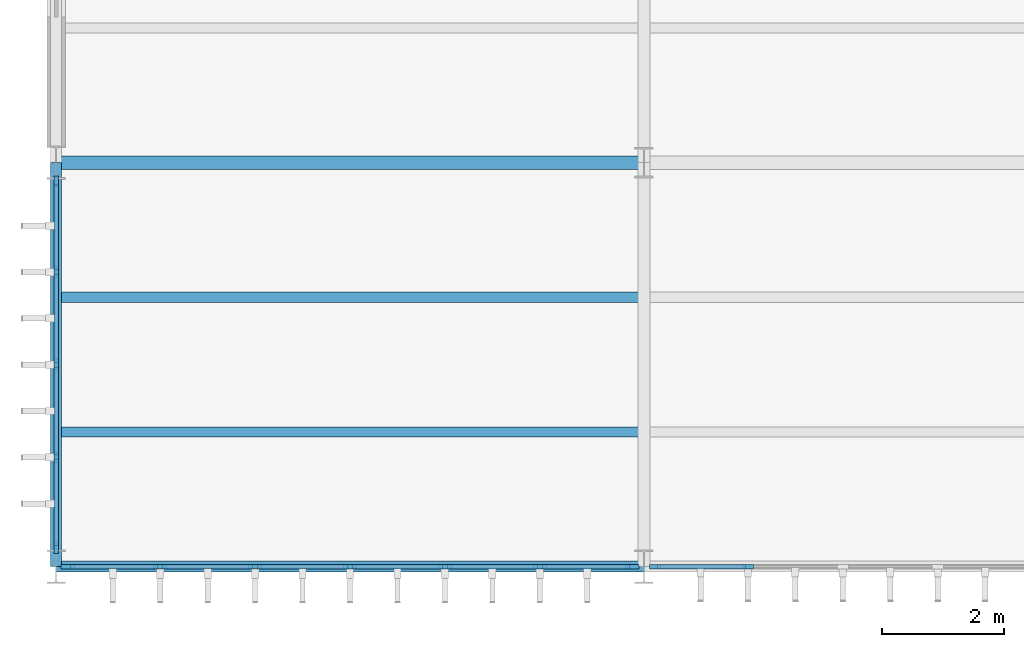
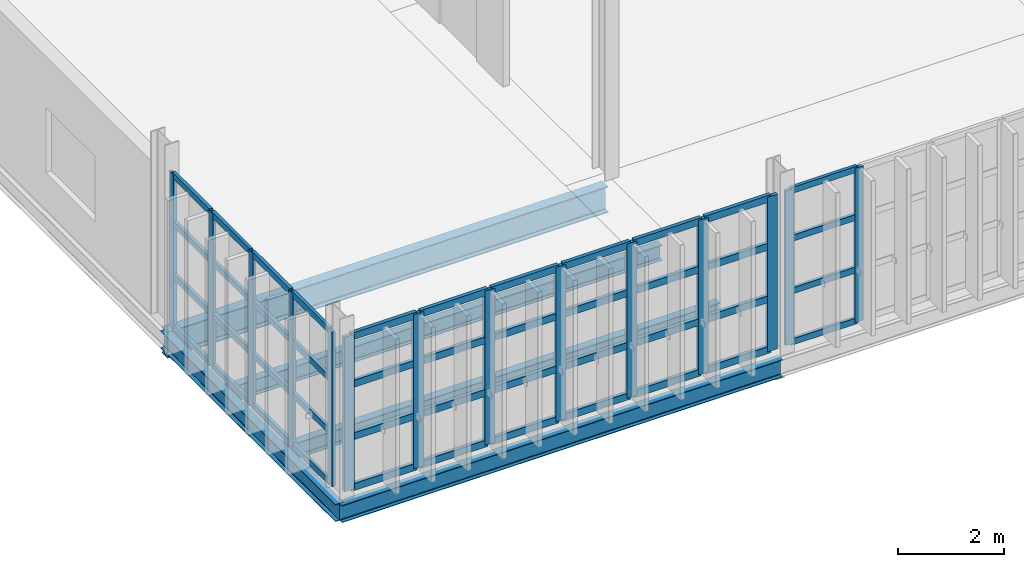
# One storey, part 4 of 52: 58 members, 5 beams, 3 elements without a shape of their own.
"""IFC4 building model written with IfcOpenShell, lengths in metres."""

import ifcopenshell
import ifcopenshell.guid

model = None  # the IFC model being written
_history = None  # IfcOwnerHistory: only IFC2X3 demands one
_inside = {}  # id of a spatial element -> (the spatial element, [elements in it])
_under = {}  # id of a project, library or spatial element -> (it, [spatial elements below it])
_declared = {}  # id of a project -> (the project, [libraries it declares])
_typed = {}  # id of a type object -> (the type object, [elements of that type])
_made_of = {}  # id of a material, layer set ... -> (it, [elements and type objects made of it])


def new_model(schema):
    """Start an empty IFC model of exactly this schema.

    Asked for "IFC4X3", IfcOpenShell would pick the latest addendum, in which some entities
    have other attributes; the version numbers below select the first issue.
    IFC2X3 requires an IfcOwnerHistory on every rooted entity: one is made here for all.
    """
    global model, _history
    if schema == "IFC4X3":
        model = ifcopenshell.file(schema_version=(4, 3, 0, 0))
    else:
        model = ifcopenshell.file(schema=schema)
    _inside.clear()
    _under.clear()
    _declared.clear()
    _typed.clear()
    _made_of.clear()
    _history = None
    if model.schema == "IFC2X3":
        org = make("IfcOrganization", Name="unknown")
        user = make(
            "IfcPersonAndOrganization",
            ThePerson=make("IfcPerson", FamilyName="unknown"),
            TheOrganization=org,
        )
        app = make(
            "IfcApplication",
            ApplicationDeveloper=org,
            Version="unknown",
            ApplicationFullName="unknown",
            ApplicationIdentifier="unknown",
        )
        _history = make(
            "IfcOwnerHistory",
            OwningUser=user,
            OwningApplication=app,
            ChangeAction="ADDED",
            CreationDate=0,
        )
    return model


def make(cls, **values):
    """One entity of the class cls with the attributes given. An attribute that is None is left unset."""
    return model.create_entity(
        cls, **{name: value for name, value in values.items() if value is not None}
    )


def rooted(cls, **values):
    """An entity with a GlobalId (a new one), such as an element, a storey or a relation."""
    return make(cls, GlobalId=ifcopenshell.guid.new(), OwnerHistory=_history, **values)


def si_unit(unit_type, name, prefix=None):
    """IfcSIUnit, for example si_unit("LENGTHUNIT", "METRE", prefix="MILLI")."""
    return make("IfcSIUnit", UnitType=unit_type, Prefix=prefix, Name=name)


def assignment(units):
    """IfcUnitAssignment: the units of a project."""
    return None if units is None else make("IfcUnitAssignment", Units=units)


def point(xyz):
    """IfcCartesianPoint."""
    return None if xyz is None else make("IfcCartesianPoint", Coordinates=xyz)


def direction(xyz):
    """IfcDirection."""
    return None if xyz is None else make("IfcDirection", DirectionRatios=xyz)


def frame(location, z_axis=None, x_axis=None):
    """IfcAxis2Placement3D, a coordinate frame: its origin and axes. An axis left out is left unset."""
    return make(
        "IfcAxis2Placement3D",
        Location=point(location),
        Axis=direction(z_axis),
        RefDirection=direction(x_axis),
    )


def frame_2d(location, x_axis=None):
    """IfcAxis2Placement2D, a coordinate frame in the plane: its origin and x axis."""
    return make(
        "IfcAxis2Placement2D", Location=point(location), RefDirection=direction(x_axis)
    )


def origin():
    """The frame at (0, 0, 0) with its axes left unset."""
    return frame((0.0, 0.0, 0.0))


def origin_2d():
    """The frame at (0, 0) in the plane with its x axis left unset."""
    return frame_2d((0.0, 0.0))


def place(relative_to, where):
    """IfcLocalPlacement: puts the frame where relative to a parent placement (None: the world)."""
    return make(
        "IfcLocalPlacement", PlacementRelTo=relative_to, RelativePlacement=where
    )


def context(
    kind, dimensions, precision=None, world=None, true_north=None, identifier=None
):
    """IfcGeometricRepresentationContext, for example the 3D "Model" context."""
    return make(
        "IfcGeometricRepresentationContext",
        ContextIdentifier=identifier,
        ContextType=kind,
        CoordinateSpaceDimension=dimensions,
        Precision=precision,
        WorldCoordinateSystem=world,
        TrueNorth=true_north,
    )


def subcontext(parent, identifier, kind, view, scale=None):
    """IfcGeometricRepresentationSubContext, for example "Body" below "Model"."""
    return make(
        "IfcGeometricRepresentationSubContext",
        ContextIdentifier=identifier,
        ContextType=kind,
        ParentContext=parent,
        TargetScale=scale,
        TargetView=view,
    )


def project(units=None, contexts=None):
    """IfcProject with its units and contexts."""
    return rooted(
        "IfcProject",
        Name="project",
        RepresentationContexts=contexts,
        UnitsInContext=assignment(units),
    )


def spatial(cls, under=None, at=None, **own):
    """A site, building, storey or space (cls), placed at a placement, below another one or the project."""
    s = rooted(cls, ObjectPlacement=at, **own)
    if under is not None:
        _under.setdefault(under.id(), (under, []))[1].append(s)
    return s


def profile(cls, at=None, kind="AREA", **sizes):
    """A parametric profile (cls). Its sizes go by their IFC names, for example OverallWidth=200.0."""
    return make(cls, ProfileType=kind, Position=at, **sizes)


def rectangle(**sizes):
    """IfcRectangleProfileDef."""
    return profile("IfcRectangleProfileDef", **sizes)


def i_section(**sizes):
    """IfcIShapeProfileDef."""
    return profile("IfcIShapeProfileDef", **sizes)


def extrude(swept, where, along, depth):
    """IfcExtrudedAreaSolid: the profile swept, set in the frame where, extruded along a direction by depth."""
    return make(
        "IfcExtrudedAreaSolid",
        SweptArea=swept,
        Position=where,
        ExtrudedDirection=direction(along),
        Depth=depth,
    )


def shape(context_of_items, identifier, shape_type, items):
    """IfcShapeRepresentation: the items that make up one representation, for example the "Body"."""
    return make(
        "IfcShapeRepresentation",
        ContextOfItems=context_of_items,
        RepresentationIdentifier=identifier,
        RepresentationType=shape_type,
        Items=items,
    )


def material(Name=None, Category=None):
    """IfcMaterial."""
    return make("IfcMaterial", Name=Name, Category=Category)


def layer(
    of_material, thickness, ventilated=None, Name=None, Category=None, Priority=None
):
    """IfcMaterialLayer: one layer of a wall or slab, of a material (None: an air gap)."""
    return make(
        "IfcMaterialLayer",
        Material=of_material,
        LayerThickness=thickness,
        IsVentilated=ventilated,
        Name=Name,
        Category=Category,
        Priority=Priority,
    )


def layer_set(layers, Name=None):
    """IfcMaterialLayerSet."""
    return make("IfcMaterialLayerSet", MaterialLayers=layers, LayerSetName=Name)


def material_profile(
    of_material, cross_section, Name=None, Category=None, Priority=None
):
    """IfcMaterialProfile: a cross section and its material."""
    return make(
        "IfcMaterialProfile",
        Name=Name,
        Material=of_material,
        Profile=cross_section,
        Priority=Priority,
        Category=Category,
    )


def profile_set(profiles, Name=None, composite=None):
    """IfcMaterialProfileSet."""
    return make(
        "IfcMaterialProfileSet",
        Name=Name,
        MaterialProfiles=profiles,
        CompositeProfile=composite,
    )


def made_of(thing, what):
    """Note that an element or type object is made of a material, layer set ...; save() writes the relation."""
    if what is not None:
        _made_of.setdefault(what.id(), (what, []))[1].append(thing)
    return thing


def type_object(cls, material=None, **own):
    """A type object (cls), such as IfcWallType, which elements share."""
    return made_of(rooted(cls, **own), material)


def element(
    cls,
    number,
    at=None,
    inside=None,
    cuts=None,
    type_object=None,
    material=None,
    context=None,
    identifier="Body",
    shape_type=None,
    held_by="IfcProductDefinitionShape",
    body=None,
    shapes=None,
    **own,
):
    """One element of the class cls, such as IfcWall. Its Tag is "e" and its number.

    at: its placement. inside: the storey or other place that contains it. cuts: it is an
    opening in that element (IfcRelVoidsElement). A single representation is given by context,
    identifier, shape_type and body (its items); several are given by shapes. held_by: the class
    of the entity that holds the representations. save() writes the other relations.
    """
    e = rooted(cls, Tag="e%d" % number, ObjectPlacement=at, **own)
    if body is not None:
        shapes = [shape(context, identifier, shape_type, body)]
    if shapes is not None:
        e.Representation = make(held_by, Representations=shapes)
    if inside is not None:
        _inside.setdefault(inside.id(), (inside, []))[1].append(e)
    if cuts is not None:
        rooted(
            "IfcRelVoidsElement", RelatingBuildingElement=cuts, RelatedOpeningElement=e
        )
    if type_object is not None:
        _typed.setdefault(type_object.id(), (type_object, []))[1].append(e)
    return made_of(e, material)


def aggregate(whole, parts):
    """IfcRelAggregates: a whole, such as a stair, and the parts it consists of."""
    return rooted("IfcRelAggregates", RelatingObject=whole, RelatedObjects=parts)


def save(model, path):
    """Write the relations noted so far, then the file.

    IfcRelAggregates (storeys below a building ...), IfcRelContainedInSpatialStructure (elements
    in a storey), IfcRelDefinesByType, IfcRelAssociatesMaterial and IfcRelDeclares: one each for
    every whole, place, type object, material and project.
    """
    for whole, parts in _under.values():
        aggregate(whole, parts)
    for where, things in _inside.values():
        rooted(
            "IfcRelContainedInSpatialStructure",
            RelatedElements=things,
            RelatingStructure=where,
        )
    for kind, things in _typed.values():
        rooted("IfcRelDefinesByType", RelatedObjects=things, RelatingType=kind)
    for what, things in _made_of.values():
        rooted("IfcRelAssociatesMaterial", RelatedObjects=things, RelatingMaterial=what)
    for by, libraries in _declared.values():
        rooted("IfcRelDeclares", RelatingContext=by, RelatedDefinitions=libraries)
    model.write(path)


model = new_model("IFC4")

# Units and contexts
model_context = context("Model", 3, precision=1e-05, world=origin(), true_north=direction((0.0, 1.0)))
body_context = subcontext(model_context, "Body", "Model", "MODEL_VIEW")
ifc_project = project(units=[si_unit("LENGTHUNIT", "METRE"), si_unit("AREAUNIT", "SQUARE_METRE"), si_unit("VOLUMEUNIT", "CUBIC_METRE"), si_unit("PLANEANGLEUNIT", "RADIAN"), si_unit("MASSUNIT", "GRAM", prefix="KILO")], contexts=[model_context])

# Site, building, storey
site_placement = place(None, origin())
site = spatial("IfcSite", under=ifc_project, at=site_placement, CompositionType="ELEMENT")
building_placement = place(site_placement, origin())
building = spatial("IfcBuilding", under=site, at=building_placement, Name="Zarnetskaya Central Station", CompositionType="ELEMENT")
storey_placement = place(building_placement, frame((0.0, 0.0, 14.39990234375)))
storey = spatial("IfcBuildingStorey", under=building, at=storey_placement, Name="L03", CompositionType="ELEMENT", Elevation=14.39990234375)

# Beams
ifc_material_1 = material(Name="Steel S355", Category="steel")
ifc_material_profile_1 = material_profile(ifc_material_1, i_section(OverallWidth=0.169921875, OverallDepth=0.360107421875, WebThickness=0.008056640625, FlangeThickness=0.0126953125, FilletRadius=0.01806640625, at=origin_2d()), Name="IPE 360")
ifc_profile_set_1 = profile_set([ifc_material_profile_1], Name="Steel S355")
beam_type_1 = type_object("IfcBeamType", Name="BM-SEC-360", PredefinedType="BEAM", material=ifc_profile_set_1)
for number, where, z_axis, x_axis, name in (
    (1, (0.080078125, 2.199951171875, -0.429931640625), (1.0, 0.0, 0.0), (0.0, 1.0, 0.0), "Secondary floor beam SEC-L03-Z1415-AB-12-1"),
    (2, (0.080078125, 4.39990234375, -0.429931640625), (1.0, 0.0, 0.0), (0.0, 1.0, 0.0), "Secondary floor beam SEC-L03-Z1415-AB-12-2"),
):
    element("IfcBeam", number, at=place(storey_placement, frame(where, z_axis=z_axis, x_axis=x_axis)), inside=storey, type_object=beam_type_1, Name=name, PredefinedType="BEAM", context=body_context, shape_type="SweptSolid", body=[
        extrude(i_section(OverallWidth=0.169921875, OverallDepth=0.360107421875, WebThickness=0.008056640625, FlangeThickness=0.0126953125, FilletRadius=0.01806640625, at=origin_2d()), origin(), (0.0, 0.0, 1.0), 9.43994140625),
    ])
ifc_material_profile_2 = material_profile(ifc_material_1, i_section(OverallWidth=0.179931640625, OverallDepth=0.39990234375, WebThickness=0.008544921875, FlangeThickness=0.013427734375, FilletRadius=0.02099609375, at=origin_2d()), Name="IPE 400")
ifc_profile_set_2 = profile_set([ifc_material_profile_2], Name="Steel S355")
beam_type_2 = type_object("IfcBeamType", Name="BM-SPN-V5", PredefinedType="SPANDREL", material=ifc_profile_set_2)
beam_1_placement = place(storey_placement, frame((0.0, 0.0, -0.449951171875), z_axis=(0.0, 1.0, 0.0), x_axis=(-1.0, 0.0, 0.0)))
element("IfcBeam", 3, at=beam_1_placement, inside=storey, type_object=beam_type_2, Name="Grid girder GY-L03-A-12", PredefinedType="SPANDREL", context=body_context, shape_type="SweptSolid", body=[
    extrude(i_section(OverallWidth=0.179931640625, OverallDepth=0.39990234375, WebThickness=0.008544921875, FlangeThickness=0.013427734375, FilletRadius=0.02099609375, at=origin_2d()), origin(), (0.0, 0.0, 1.0), 6.60009765625),
])
beam_2_placement = place(storey_placement, frame((0.0, 0.0, -0.449951171875), z_axis=(1.0, 0.0, 0.0), x_axis=(0.0, 1.0, 0.0)))
element("IfcBeam", 4, at=beam_2_placement, inside=storey, type_object=beam_type_2, Name="Grid girder GX-L03-1-AB", PredefinedType="SPANDREL", context=body_context, shape_type="SweptSolid", body=[
    extrude(i_section(OverallWidth=0.179931640625, OverallDepth=0.39990234375, WebThickness=0.008544921875, FlangeThickness=0.013427734375, FilletRadius=0.02099609375, at=origin_2d()), origin(), (0.0, 0.0, 1.0), 9.60009765625),
])

# Curtain wall, members
ifc_material_2 = material(Name="Low-E insulated glass", Category="glass")
ifc_layer_1 = layer(ifc_material_2, 0.176025390625, Name="Low-E insulated glass", Category="glass")
ifc_layer_set_1 = layer_set([ifc_layer_1], Name="Low-E insulated glass")
curtain_wall_type_1 = type_object("IfcCurtainWallType", Name="CW-SYS-05", PredefinedType="USERDEFINED", material=ifc_layer_set_1)
curtain_wall_1_placement = place(storey_placement, origin())
curtain_wall_1 = element("IfcCurtainWall", 5, at=curtain_wall_1_placement, inside=storey, type_object=curtain_wall_type_1, Name="Curtain wall CW-L03-031", ObjectType="CURTAIN WALL", PredefinedType="USERDEFINED")
ifc_material_3 = material(Name="Anodised aluminium", Category="aluminium")
ifc_material_profile_3 = material_profile(ifc_material_3, rectangle(XDim=0.070068359375, YDim=0.179931640625, at=origin_2d()), Name="ALU MULL 70x180")
ifc_profile_set_3 = profile_set([ifc_material_profile_3], Name="Anodised aluminium")
member_type_1 = type_object("IfcMemberType", Name="CW-MULL-180", PredefinedType="MULLION", material=ifc_profile_set_3)
member_1_placement = place(storey_placement, frame((0.0, 0.31005859375, 0.0), z_axis=(0.0, 0.0, 1.0), x_axis=(-1.0, 0.0, 0.0)))
member_1 = element("IfcMember", 6, at=member_1_placement, type_object=member_type_1, Name="CW-14 mullion 1", PredefinedType="MULLION", context=body_context, shape_type="SweptSolid", body=[
    extrude(rectangle(XDim=0.070068359375, YDim=0.179931640625, at=origin_2d()), origin(), (0.0, 0.0, 1.0), 3.56005859375),
])
member_2_placement = place(storey_placement, frame((0.0, 1.78759765625, 0.0), z_axis=(0.0, 0.0, 1.0), x_axis=(-1.0, 0.0, 0.0)))
member_2 = element("IfcMember", 7, at=member_2_placement, type_object=member_type_1, Name="CW-14 mullion 2", PredefinedType="MULLION", context=body_context, shape_type="SweptSolid", body=[
    extrude(rectangle(XDim=0.070068359375, YDim=0.179931640625, at=origin_2d()), origin(), (0.0, 0.0, 1.0), 3.56005859375),
])
member_3_placement = place(storey_placement, frame((0.0, 3.300048828125, 0.0), z_axis=(0.0, 0.0, 1.0), x_axis=(-1.0, 0.0, 0.0)))
member_3 = element("IfcMember", 8, at=member_3_placement, type_object=member_type_1, Name="CW-14 mullion 3", PredefinedType="MULLION", context=body_context, shape_type="SweptSolid", body=[
    extrude(rectangle(XDim=0.070068359375, YDim=0.179931640625, at=origin_2d()), origin(), (0.0, 0.0, 1.0), 3.56005859375),
])
member_4_placement = place(storey_placement, frame((0.0, 4.8125, 0.0), z_axis=(0.0, 0.0, 1.0), x_axis=(-1.0, 0.0, 0.0)))
member_4 = element("IfcMember", 9, at=member_4_placement, type_object=member_type_1, Name="CW-14 mullion 4", PredefinedType="MULLION", context=body_context, shape_type="SweptSolid", body=[
    extrude(rectangle(XDim=0.070068359375, YDim=0.179931640625, at=origin_2d()), origin(), (0.0, 0.0, 1.0), 3.56005859375),
])
member_5_placement = place(storey_placement, frame((0.0, 6.2900390625, 0.0), z_axis=(0.0, 0.0, 1.0), x_axis=(-1.0, 0.0, 0.0)))
member_5 = element("IfcMember", 10, at=member_5_placement, type_object=member_type_1, Name="CW-14 mullion 5", PredefinedType="MULLION", context=body_context, shape_type="SweptSolid", body=[
    extrude(rectangle(XDim=0.070068359375, YDim=0.179931640625, at=origin_2d()), origin(), (0.0, 0.0, 1.0), 3.56005859375),
])

ifc_layer_2 = layer(ifc_material_2, 0.16796875, Name="Low-E insulated glass", Category="glass")
ifc_layer_set_2 = layer_set([ifc_layer_2], Name="Low-E insulated glass")
curtain_wall_type_2 = type_object("IfcCurtainWallType", Name="CW-SYS-08", PredefinedType="USERDEFINED", material=ifc_layer_set_2)
curtain_wall_2_placement = place(storey_placement, origin())
curtain_wall_2 = element("IfcCurtainWall", 11, at=curtain_wall_2_placement, inside=storey, type_object=curtain_wall_type_2, Name="Curtain wall CW-L03-045", ObjectType="CURTAIN WALL", PredefinedType="USERDEFINED")
member_6_placement = place(storey_placement, frame((11.300048828125, 0.0, 0.0), z_axis=(0.0, 0.0, 1.0), x_axis=(0.0, -1.0, 0.0)))
member_6 = element("IfcMember", 12, at=member_6_placement, type_object=member_type_1, Name="CW-16 mullion 6", PredefinedType="MULLION", context=body_context, shape_type="SweptSolid", body=[
    extrude(rectangle(XDim=0.070068359375, YDim=0.179931640625, at=origin_2d()), origin(), (0.0, 0.0, 1.0), 3.56005859375),
])
member_7_placement = place(storey_placement, frame((9.784912109375, 0.0, 0.0), z_axis=(0.0, 0.0, 1.0), x_axis=(0.0, -1.0, 0.0)))
member_7 = element("IfcMember", 13, at=member_7_placement, type_object=member_type_1, Name="CW-16 mullion 7", PredefinedType="MULLION", context=body_context, shape_type="SweptSolid", body=[
    extrude(rectangle(XDim=0.070068359375, YDim=0.179931640625, at=origin_2d()), origin(), (0.0, 0.0, 1.0), 3.56005859375),
])

ifc_layer_3 = layer(ifc_material_2, 0.172119140625, Name="Low-E insulated glass", Category="glass")
ifc_layer_set_3 = layer_set([ifc_layer_3], Name="Low-E insulated glass")
curtain_wall_type_3 = type_object("IfcCurtainWallType", Name="CW-SYS-09", PredefinedType="USERDEFINED", material=ifc_layer_set_3)
curtain_wall_3_placement = place(storey_placement, origin())
curtain_wall_3 = element("IfcCurtainWall", 14, at=curtain_wall_3_placement, inside=storey, type_object=curtain_wall_type_3, Name="Curtain wall CW-L03-046", ObjectType="CURTAIN WALL", PredefinedType="USERDEFINED")
ifc_material_profile_4 = material_profile(ifc_material_3, rectangle(XDim=0.080078125, YDim=0.219970703125, at=origin_2d()), Name="ALU MULL 80x220")
ifc_profile_set_4 = profile_set([ifc_material_profile_4], Name="Anodised aluminium")
member_type_2 = type_object("IfcMemberType", Name="CW-MULL-220", PredefinedType="MULLION", material=ifc_profile_set_4)
member_8_placement = place(storey_placement, frame((9.409912109375, 0.0, 0.0), z_axis=(0.0, 0.0, 1.0), x_axis=(0.0, -1.0, 0.0)))
member_8 = element("IfcMember", 15, at=member_8_placement, type_object=member_type_2, Name="CW-07 mullion 1", PredefinedType="MULLION", context=body_context, shape_type="SweptSolid", body=[
    extrude(rectangle(XDim=0.080078125, YDim=0.219970703125, at=origin_2d()), origin(), (0.0, 0.0, 1.0), 3.56005859375),
])
member_9_placement = place(storey_placement, frame((7.89990234375, 0.0, 0.0), z_axis=(0.0, 0.0, 1.0), x_axis=(0.0, -1.0, 0.0)))
member_9 = element("IfcMember", 16, at=member_9_placement, type_object=member_type_2, Name="CW-07 mullion 2", PredefinedType="MULLION", context=body_context, shape_type="SweptSolid", body=[
    extrude(rectangle(XDim=0.080078125, YDim=0.219970703125, at=origin_2d()), origin(), (0.0, 0.0, 1.0), 3.56005859375),
])
member_10_placement = place(storey_placement, frame((6.35009765625, 0.0, 0.0), z_axis=(0.0, 0.0, 1.0), x_axis=(0.0, -1.0, 0.0)))
member_10 = element("IfcMember", 17, at=member_10_placement, type_object=member_type_2, Name="CW-07 mullion 3", PredefinedType="MULLION", context=body_context, shape_type="SweptSolid", body=[
    extrude(rectangle(XDim=0.080078125, YDim=0.219970703125, at=origin_2d()), origin(), (0.0, 0.0, 1.0), 3.56005859375),
])
member_11_placement = place(storey_placement, frame((4.800048828125, 0.0, 0.0), z_axis=(0.0, 0.0, 1.0), x_axis=(0.0, -1.0, 0.0)))
member_11 = element("IfcMember", 18, at=member_11_placement, type_object=member_type_2, Name="CW-07 mullion 4", PredefinedType="MULLION", context=body_context, shape_type="SweptSolid", body=[
    extrude(rectangle(XDim=0.080078125, YDim=0.219970703125, at=origin_2d()), origin(), (0.0, 0.0, 1.0), 3.56005859375),
])
member_12_placement = place(storey_placement, frame((3.25, 0.0, 0.0), z_axis=(0.0, 0.0, 1.0), x_axis=(0.0, -1.0, 0.0)))
member_12 = element("IfcMember", 19, at=member_12_placement, type_object=member_type_2, Name="CW-07 mullion 5", PredefinedType="MULLION", context=body_context, shape_type="SweptSolid", body=[
    extrude(rectangle(XDim=0.080078125, YDim=0.219970703125, at=origin_2d()), origin(), (0.0, 0.0, 1.0), 3.56005859375),
])
member_13_placement = place(storey_placement, frame((1.699951171875, 0.0, 0.0), z_axis=(0.0, 0.0, 1.0), x_axis=(0.0, -1.0, 0.0)))
member_13 = element("IfcMember", 20, at=member_13_placement, type_object=member_type_2, Name="CW-07 mullion 6", PredefinedType="MULLION", context=body_context, shape_type="SweptSolid", body=[
    extrude(rectangle(XDim=0.080078125, YDim=0.219970703125, at=origin_2d()), origin(), (0.0, 0.0, 1.0), 3.56005859375),
])
member_14_placement = place(storey_placement, frame((0.18994140625, 0.0, 0.0), z_axis=(0.0, 0.0, 1.0), x_axis=(0.0, -1.0, 0.0)))
member_14 = element("IfcMember", 21, at=member_14_placement, type_object=member_type_2, Name="CW-07 mullion 7", PredefinedType="MULLION", context=body_context, shape_type="SweptSolid", body=[
    extrude(rectangle(XDim=0.080078125, YDim=0.219970703125, at=origin_2d()), origin(), (0.0, 0.0, 1.0), 3.56005859375),
])

# Member
ifc_material_profile_5 = material_profile(ifc_material_3, rectangle(XDim=0.070068359375, YDim=0.139892578125, at=origin_2d()), Name="ALU TRAN 70x140")
ifc_profile_set_5 = profile_set([ifc_material_profile_5], Name="Anodised aluminium")
member_type_3 = type_object("IfcMemberType", Name="CW-TRAN-140", PredefinedType="USERDEFINED", material=ifc_profile_set_5)
member_15_placement = place(storey_placement, frame((0.0, 0.344970703125, 0.03515625), z_axis=(0.0, 1.0, 0.0), x_axis=(-1.0, 0.0, 0.0)))
member_15 = element("IfcMember", 22, at=member_15_placement, type_object=member_type_3, Name="CW-14 transom 1.1", ObjectType="TRANSOM", PredefinedType="USERDEFINED", context=body_context, shape_type="SweptSolid", body=[
    extrude(rectangle(XDim=0.070068359375, YDim=0.139892578125, at=origin_2d()), origin(), (0.0, 0.0, 1.0), 1.407470703125),
])

member_16_placement = place(storey_placement, frame((0.0, 0.344970703125, 1.210205078125), z_axis=(0.0, 1.0, 0.0), x_axis=(-1.0, 0.0, 0.0)))
member_16 = element("IfcMember", 23, at=member_16_placement, type_object=member_type_3, Name="CW-14 transom 1.2", ObjectType="TRANSOM", PredefinedType="USERDEFINED", context=body_context, shape_type="SweptSolid", body=[
    extrude(rectangle(XDim=0.070068359375, YDim=0.139892578125, at=origin_2d()), origin(), (0.0, 0.0, 1.0), 1.407470703125),
])

member_17_placement = place(storey_placement, frame((0.0, 0.344970703125, 2.421142578125), z_axis=(0.0, 1.0, 0.0), x_axis=(-1.0, 0.0, 0.0)))
member_17 = element("IfcMember", 24, at=member_17_placement, type_object=member_type_3, Name="CW-14 transom 1.3", ObjectType="TRANSOM", PredefinedType="USERDEFINED", context=body_context, shape_type="SweptSolid", body=[
    extrude(rectangle(XDim=0.070068359375, YDim=0.139892578125, at=origin_2d()), origin(), (0.0, 0.0, 1.0), 1.407470703125),
])

member_18_placement = place(storey_placement, frame((0.0, 0.344970703125, 3.525146484375), z_axis=(0.0, 1.0, 0.0), x_axis=(-1.0, 0.0, 0.0)))
member_18 = element("IfcMember", 25, at=member_18_placement, type_object=member_type_3, Name="CW-14 transom 1.4", ObjectType="TRANSOM", PredefinedType="USERDEFINED", context=body_context, shape_type="SweptSolid", body=[
    extrude(rectangle(XDim=0.070068359375, YDim=0.139892578125, at=origin_2d()), origin(), (0.0, 0.0, 1.0), 1.407470703125),
])

member_19_placement = place(storey_placement, frame((0.0, 1.822509765625, 0.03515625), z_axis=(0.0, 1.0, 0.0), x_axis=(-1.0, 0.0, 0.0)))
member_19 = element("IfcMember", 26, at=member_19_placement, type_object=member_type_3, Name="CW-14 transom 2.1", ObjectType="TRANSOM", PredefinedType="USERDEFINED", context=body_context, shape_type="SweptSolid", body=[
    extrude(rectangle(XDim=0.070068359375, YDim=0.139892578125, at=origin_2d()), origin(), (0.0, 0.0, 1.0), 1.4423828125),
])

member_20_placement = place(storey_placement, frame((0.0, 1.822509765625, 1.210205078125), z_axis=(0.0, 1.0, 0.0), x_axis=(-1.0, 0.0, 0.0)))
member_20 = element("IfcMember", 27, at=member_20_placement, type_object=member_type_3, Name="CW-14 transom 2.2", ObjectType="TRANSOM", PredefinedType="USERDEFINED", context=body_context, shape_type="SweptSolid", body=[
    extrude(rectangle(XDim=0.070068359375, YDim=0.139892578125, at=origin_2d()), origin(), (0.0, 0.0, 1.0), 1.4423828125),
])

member_21_placement = place(storey_placement, frame((0.0, 1.822509765625, 2.421142578125), z_axis=(0.0, 1.0, 0.0), x_axis=(-1.0, 0.0, 0.0)))
member_21 = element("IfcMember", 28, at=member_21_placement, type_object=member_type_3, Name="CW-14 transom 2.3", ObjectType="TRANSOM", PredefinedType="USERDEFINED", context=body_context, shape_type="SweptSolid", body=[
    extrude(rectangle(XDim=0.070068359375, YDim=0.139892578125, at=origin_2d()), origin(), (0.0, 0.0, 1.0), 1.4423828125),
])

member_22_placement = place(storey_placement, frame((0.0, 1.822509765625, 3.525146484375), z_axis=(0.0, 1.0, 0.0), x_axis=(-1.0, 0.0, 0.0)))
member_22 = element("IfcMember", 29, at=member_22_placement, type_object=member_type_3, Name="CW-14 transom 2.4", ObjectType="TRANSOM", PredefinedType="USERDEFINED", context=body_context, shape_type="SweptSolid", body=[
    extrude(rectangle(XDim=0.070068359375, YDim=0.139892578125, at=origin_2d()), origin(), (0.0, 0.0, 1.0), 1.4423828125),
])

member_23_placement = place(storey_placement, frame((0.0, 3.3349609375, 0.03515625), z_axis=(0.0, 1.0, 0.0), x_axis=(-1.0, 0.0, 0.0)))
member_23 = element("IfcMember", 30, at=member_23_placement, type_object=member_type_3, Name="CW-14 transom 3.1", ObjectType="TRANSOM", PredefinedType="USERDEFINED", context=body_context, shape_type="SweptSolid", body=[
    extrude(rectangle(XDim=0.070068359375, YDim=0.139892578125, at=origin_2d()), origin(), (0.0, 0.0, 1.0), 1.442626953125),
])

member_24_placement = place(storey_placement, frame((0.0, 3.3349609375, 1.210205078125), z_axis=(0.0, 1.0, 0.0), x_axis=(-1.0, 0.0, 0.0)))
member_24 = element("IfcMember", 31, at=member_24_placement, type_object=member_type_3, Name="CW-14 transom 3.2", ObjectType="TRANSOM", PredefinedType="USERDEFINED", context=body_context, shape_type="SweptSolid", body=[
    extrude(rectangle(XDim=0.070068359375, YDim=0.139892578125, at=origin_2d()), origin(), (0.0, 0.0, 1.0), 1.442626953125),
])

member_25_placement = place(storey_placement, frame((0.0, 3.3349609375, 2.421142578125), z_axis=(0.0, 1.0, 0.0), x_axis=(-1.0, 0.0, 0.0)))
member_25 = element("IfcMember", 32, at=member_25_placement, type_object=member_type_3, Name="CW-14 transom 3.3", ObjectType="TRANSOM", PredefinedType="USERDEFINED", context=body_context, shape_type="SweptSolid", body=[
    extrude(rectangle(XDim=0.070068359375, YDim=0.139892578125, at=origin_2d()), origin(), (0.0, 0.0, 1.0), 1.442626953125),
])

member_26_placement = place(storey_placement, frame((0.0, 3.3349609375, 3.525146484375), z_axis=(0.0, 1.0, 0.0), x_axis=(-1.0, 0.0, 0.0)))
member_26 = element("IfcMember", 33, at=member_26_placement, type_object=member_type_3, Name="CW-14 transom 3.4", ObjectType="TRANSOM", PredefinedType="USERDEFINED", context=body_context, shape_type="SweptSolid", body=[
    extrude(rectangle(XDim=0.070068359375, YDim=0.139892578125, at=origin_2d()), origin(), (0.0, 0.0, 1.0), 1.442626953125),
])

member_27_placement = place(storey_placement, frame((0.0, 4.847412109375, 0.03515625), z_axis=(0.0, 1.0, 0.0), x_axis=(-1.0, 0.0, 0.0)))
member_27 = element("IfcMember", 34, at=member_27_placement, type_object=member_type_3, Name="CW-14 transom 4.1", ObjectType="TRANSOM", PredefinedType="USERDEFINED", context=body_context, shape_type="SweptSolid", body=[
    extrude(rectangle(XDim=0.070068359375, YDim=0.139892578125, at=origin_2d()), origin(), (0.0, 0.0, 1.0), 1.407470703125),
])

member_28_placement = place(storey_placement, frame((0.0, 4.847412109375, 1.210205078125), z_axis=(0.0, 1.0, 0.0), x_axis=(-1.0, 0.0, 0.0)))
member_28 = element("IfcMember", 35, at=member_28_placement, type_object=member_type_3, Name="CW-14 transom 4.2", ObjectType="TRANSOM", PredefinedType="USERDEFINED", context=body_context, shape_type="SweptSolid", body=[
    extrude(rectangle(XDim=0.070068359375, YDim=0.139892578125, at=origin_2d()), origin(), (0.0, 0.0, 1.0), 1.407470703125),
])

member_29_placement = place(storey_placement, frame((0.0, 4.847412109375, 2.421142578125), z_axis=(0.0, 1.0, 0.0), x_axis=(-1.0, 0.0, 0.0)))
member_29 = element("IfcMember", 36, at=member_29_placement, type_object=member_type_3, Name="CW-14 transom 4.3", ObjectType="TRANSOM", PredefinedType="USERDEFINED", context=body_context, shape_type="SweptSolid", body=[
    extrude(rectangle(XDim=0.070068359375, YDim=0.139892578125, at=origin_2d()), origin(), (0.0, 0.0, 1.0), 1.407470703125),
])

member_30_placement = place(storey_placement, frame((0.0, 4.847412109375, 3.525146484375), z_axis=(0.0, 1.0, 0.0), x_axis=(-1.0, 0.0, 0.0)))
member_30 = element("IfcMember", 37, at=member_30_placement, type_object=member_type_3, Name="CW-14 transom 4.4", ObjectType="TRANSOM", PredefinedType="USERDEFINED", context=body_context, shape_type="SweptSolid", body=[
    extrude(rectangle(XDim=0.070068359375, YDim=0.139892578125, at=origin_2d()), origin(), (0.0, 0.0, 1.0), 1.407470703125),
])

aggregate(curtain_wall_1, [member_1, member_2, member_3, member_4, member_5, member_15, member_16, member_17, member_18, member_19, member_20, member_21, member_22, member_23, member_24, member_25, member_26, member_27, member_28, member_29, member_30])

member_31_placement = place(storey_placement, frame((11.264892578125, 0.0, 0.03515625), z_axis=(-1.0, 0.0, 0.0), x_axis=(0.0, -1.0, 0.0)))
member_31 = element("IfcMember", 38, at=member_31_placement, type_object=member_type_3, Name="CW-16 transom 6.1", ObjectType="TRANSOM", PredefinedType="USERDEFINED", context=body_context, shape_type="SweptSolid", body=[
    extrude(rectangle(XDim=0.070068359375, YDim=0.139892578125, at=origin_2d()), origin(), (0.0, 0.0, 1.0), 1.44482421875),
])

member_32_placement = place(storey_placement, frame((11.264892578125, 0.0, 1.210205078125), z_axis=(-1.0, 0.0, 0.0), x_axis=(0.0, -1.0, 0.0)))
member_32 = element("IfcMember", 39, at=member_32_placement, type_object=member_type_3, Name="CW-16 transom 6.2", ObjectType="TRANSOM", PredefinedType="USERDEFINED", context=body_context, shape_type="SweptSolid", body=[
    extrude(rectangle(XDim=0.070068359375, YDim=0.139892578125, at=origin_2d()), origin(), (0.0, 0.0, 1.0), 1.44482421875),
])

member_33_placement = place(storey_placement, frame((11.264892578125, 0.0, 2.421142578125), z_axis=(-1.0, 0.0, 0.0), x_axis=(0.0, -1.0, 0.0)))
member_33 = element("IfcMember", 40, at=member_33_placement, type_object=member_type_3, Name="CW-16 transom 6.3", ObjectType="TRANSOM", PredefinedType="USERDEFINED", context=body_context, shape_type="SweptSolid", body=[
    extrude(rectangle(XDim=0.070068359375, YDim=0.139892578125, at=origin_2d()), origin(), (0.0, 0.0, 1.0), 1.44482421875),
])

member_34_placement = place(storey_placement, frame((11.264892578125, 0.0, 3.525146484375), z_axis=(-1.0, 0.0, 0.0), x_axis=(0.0, -1.0, 0.0)))
member_34 = element("IfcMember", 41, at=member_34_placement, type_object=member_type_3, Name="CW-16 transom 6.4", ObjectType="TRANSOM", PredefinedType="USERDEFINED", context=body_context, shape_type="SweptSolid", body=[
    extrude(rectangle(XDim=0.070068359375, YDim=0.139892578125, at=origin_2d()), origin(), (0.0, 0.0, 1.0), 1.44482421875),
])

aggregate(curtain_wall_2, [member_6, member_7, member_31, member_32, member_33, member_34])

ifc_material_profile_6 = material_profile(ifc_material_3, rectangle(XDim=0.080078125, YDim=0.159912109375, at=origin_2d()), Name="ALU TRAN 80x160")
ifc_profile_set_6 = profile_set([ifc_material_profile_6], Name="Anodised aluminium")
member_type_4 = type_object("IfcMemberType", Name="CW-TRAN-160", PredefinedType="USERDEFINED", material=ifc_profile_set_6)
member_35_placement = place(storey_placement, frame((9.3701171875, 0.0, 0.0400390625), z_axis=(-1.0, 0.0, 0.0), x_axis=(0.0, -1.0, 0.0)))
member_35 = element("IfcMember", 42, at=member_35_placement, type_object=member_type_4, Name="CW-07 transom 1.1", ObjectType="TRANSOM", PredefinedType="USERDEFINED", context=body_context, shape_type="SweptSolid", body=[
    extrude(rectangle(XDim=0.080078125, YDim=0.159912109375, at=origin_2d()), origin(), (0.0, 0.0, 1.0), 1.43017578125),
])

member_36_placement = place(storey_placement, frame((9.3701171875, 0.0, 1.210205078125), z_axis=(-1.0, 0.0, 0.0), x_axis=(0.0, -1.0, 0.0)))
member_36 = element("IfcMember", 43, at=member_36_placement, type_object=member_type_4, Name="CW-07 transom 1.2", ObjectType="TRANSOM", PredefinedType="USERDEFINED", context=body_context, shape_type="SweptSolid", body=[
    extrude(rectangle(XDim=0.080078125, YDim=0.159912109375, at=origin_2d()), origin(), (0.0, 0.0, 1.0), 1.43017578125),
])

member_37_placement = place(storey_placement, frame((9.3701171875, 0.0, 2.421142578125), z_axis=(-1.0, 0.0, 0.0), x_axis=(0.0, -1.0, 0.0)))
member_37 = element("IfcMember", 44, at=member_37_placement, type_object=member_type_4, Name="CW-07 transom 1.3", ObjectType="TRANSOM", PredefinedType="USERDEFINED", context=body_context, shape_type="SweptSolid", body=[
    extrude(rectangle(XDim=0.080078125, YDim=0.159912109375, at=origin_2d()), origin(), (0.0, 0.0, 1.0), 1.43017578125),
])

member_38_placement = place(storey_placement, frame((9.3701171875, 0.0, 3.52001953125), z_axis=(-1.0, 0.0, 0.0), x_axis=(0.0, -1.0, 0.0)))
member_38 = element("IfcMember", 45, at=member_38_placement, type_object=member_type_4, Name="CW-07 transom 1.4", ObjectType="TRANSOM", PredefinedType="USERDEFINED", context=body_context, shape_type="SweptSolid", body=[
    extrude(rectangle(XDim=0.080078125, YDim=0.159912109375, at=origin_2d()), origin(), (0.0, 0.0, 1.0), 1.43017578125),
])

member_39_placement = place(storey_placement, frame((7.860107421875, 0.0, 0.0400390625), z_axis=(-1.0, 0.0, 0.0), x_axis=(0.0, -1.0, 0.0)))
member_39 = element("IfcMember", 46, at=member_39_placement, type_object=member_type_4, Name="CW-07 transom 2.1", ObjectType="TRANSOM", PredefinedType="USERDEFINED", context=body_context, shape_type="SweptSolid", body=[
    extrude(rectangle(XDim=0.080078125, YDim=0.159912109375, at=origin_2d()), origin(), (0.0, 0.0, 1.0), 1.47021484375),
])

member_40_placement = place(storey_placement, frame((7.860107421875, 0.0, 1.210205078125), z_axis=(-1.0, 0.0, 0.0), x_axis=(0.0, -1.0, 0.0)))
member_40 = element("IfcMember", 47, at=member_40_placement, type_object=member_type_4, Name="CW-07 transom 2.2", ObjectType="TRANSOM", PredefinedType="USERDEFINED", context=body_context, shape_type="SweptSolid", body=[
    extrude(rectangle(XDim=0.080078125, YDim=0.159912109375, at=origin_2d()), origin(), (0.0, 0.0, 1.0), 1.47021484375),
])

member_41_placement = place(storey_placement, frame((7.860107421875, 0.0, 2.421142578125), z_axis=(-1.0, 0.0, 0.0), x_axis=(0.0, -1.0, 0.0)))
member_41 = element("IfcMember", 48, at=member_41_placement, type_object=member_type_4, Name="CW-07 transom 2.3", ObjectType="TRANSOM", PredefinedType="USERDEFINED", context=body_context, shape_type="SweptSolid", body=[
    extrude(rectangle(XDim=0.080078125, YDim=0.159912109375, at=origin_2d()), origin(), (0.0, 0.0, 1.0), 1.47021484375),
])

member_42_placement = place(storey_placement, frame((7.860107421875, 0.0, 3.52001953125), z_axis=(-1.0, 0.0, 0.0), x_axis=(0.0, -1.0, 0.0)))
member_42 = element("IfcMember", 49, at=member_42_placement, type_object=member_type_4, Name="CW-07 transom 2.4", ObjectType="TRANSOM", PredefinedType="USERDEFINED", context=body_context, shape_type="SweptSolid", body=[
    extrude(rectangle(XDim=0.080078125, YDim=0.159912109375, at=origin_2d()), origin(), (0.0, 0.0, 1.0), 1.47021484375),
])

member_43_placement = place(storey_placement, frame((6.31005859375, 0.0, 0.0400390625), z_axis=(-1.0, 0.0, 0.0), x_axis=(0.0, -1.0, 0.0)))
member_43 = element("IfcMember", 50, at=member_43_placement, type_object=member_type_4, Name="CW-07 transom 3.1", ObjectType="TRANSOM", PredefinedType="USERDEFINED", context=body_context, shape_type="SweptSolid", body=[
    extrude(rectangle(XDim=0.080078125, YDim=0.159912109375, at=origin_2d()), origin(), (0.0, 0.0, 1.0), 1.469970703125),
])

member_44_placement = place(storey_placement, frame((6.31005859375, 0.0, 1.210205078125), z_axis=(-1.0, 0.0, 0.0), x_axis=(0.0, -1.0, 0.0)))
member_44 = element("IfcMember", 51, at=member_44_placement, type_object=member_type_4, Name="CW-07 transom 3.2", ObjectType="TRANSOM", PredefinedType="USERDEFINED", context=body_context, shape_type="SweptSolid", body=[
    extrude(rectangle(XDim=0.080078125, YDim=0.159912109375, at=origin_2d()), origin(), (0.0, 0.0, 1.0), 1.469970703125),
])

member_45_placement = place(storey_placement, frame((6.31005859375, 0.0, 2.421142578125), z_axis=(-1.0, 0.0, 0.0), x_axis=(0.0, -1.0, 0.0)))
member_45 = element("IfcMember", 52, at=member_45_placement, type_object=member_type_4, Name="CW-07 transom 3.3", ObjectType="TRANSOM", PredefinedType="USERDEFINED", context=body_context, shape_type="SweptSolid", body=[
    extrude(rectangle(XDim=0.080078125, YDim=0.159912109375, at=origin_2d()), origin(), (0.0, 0.0, 1.0), 1.469970703125),
])

member_46_placement = place(storey_placement, frame((6.31005859375, 0.0, 3.52001953125), z_axis=(-1.0, 0.0, 0.0), x_axis=(0.0, -1.0, 0.0)))
member_46 = element("IfcMember", 53, at=member_46_placement, type_object=member_type_4, Name="CW-07 transom 3.4", ObjectType="TRANSOM", PredefinedType="USERDEFINED", context=body_context, shape_type="SweptSolid", body=[
    extrude(rectangle(XDim=0.080078125, YDim=0.159912109375, at=origin_2d()), origin(), (0.0, 0.0, 1.0), 1.469970703125),
])

member_47_placement = place(storey_placement, frame((4.760009765625, 0.0, 0.0400390625), z_axis=(-1.0, 0.0, 0.0), x_axis=(0.0, -1.0, 0.0)))
member_47 = element("IfcMember", 54, at=member_47_placement, type_object=member_type_4, Name="CW-07 transom 4.1", ObjectType="TRANSOM", PredefinedType="USERDEFINED", context=body_context, shape_type="SweptSolid", body=[
    extrude(rectangle(XDim=0.080078125, YDim=0.159912109375, at=origin_2d()), origin(), (0.0, 0.0, 1.0), 1.469970703125),
])

member_48_placement = place(storey_placement, frame((4.760009765625, 0.0, 1.210205078125), z_axis=(-1.0, 0.0, 0.0), x_axis=(0.0, -1.0, 0.0)))
member_48 = element("IfcMember", 55, at=member_48_placement, type_object=member_type_4, Name="CW-07 transom 4.2", ObjectType="TRANSOM", PredefinedType="USERDEFINED", context=body_context, shape_type="SweptSolid", body=[
    extrude(rectangle(XDim=0.080078125, YDim=0.159912109375, at=origin_2d()), origin(), (0.0, 0.0, 1.0), 1.469970703125),
])

member_49_placement = place(storey_placement, frame((4.760009765625, 0.0, 2.421142578125), z_axis=(-1.0, 0.0, 0.0), x_axis=(0.0, -1.0, 0.0)))
member_49 = element("IfcMember", 56, at=member_49_placement, type_object=member_type_4, Name="CW-07 transom 4.3", ObjectType="TRANSOM", PredefinedType="USERDEFINED", context=body_context, shape_type="SweptSolid", body=[
    extrude(rectangle(XDim=0.080078125, YDim=0.159912109375, at=origin_2d()), origin(), (0.0, 0.0, 1.0), 1.469970703125),
])

member_50_placement = place(storey_placement, frame((4.760009765625, 0.0, 3.52001953125), z_axis=(-1.0, 0.0, 0.0), x_axis=(0.0, -1.0, 0.0)))
member_50 = element("IfcMember", 57, at=member_50_placement, type_object=member_type_4, Name="CW-07 transom 4.4", ObjectType="TRANSOM", PredefinedType="USERDEFINED", context=body_context, shape_type="SweptSolid", body=[
    extrude(rectangle(XDim=0.080078125, YDim=0.159912109375, at=origin_2d()), origin(), (0.0, 0.0, 1.0), 1.469970703125),
])

member_51_placement = place(storey_placement, frame((3.2099609375, 0.0, 0.0400390625), z_axis=(-1.0, 0.0, 0.0), x_axis=(0.0, -1.0, 0.0)))
member_51 = element("IfcMember", 58, at=member_51_placement, type_object=member_type_4, Name="CW-07 transom 5.1", ObjectType="TRANSOM", PredefinedType="USERDEFINED", context=body_context, shape_type="SweptSolid", body=[
    extrude(rectangle(XDim=0.080078125, YDim=0.159912109375, at=origin_2d()), origin(), (0.0, 0.0, 1.0), 1.469970703125),
])

member_52_placement = place(storey_placement, frame((3.2099609375, 0.0, 1.210205078125), z_axis=(-1.0, 0.0, 0.0), x_axis=(0.0, -1.0, 0.0)))
member_52 = element("IfcMember", 59, at=member_52_placement, type_object=member_type_4, Name="CW-07 transom 5.2", ObjectType="TRANSOM", PredefinedType="USERDEFINED", context=body_context, shape_type="SweptSolid", body=[
    extrude(rectangle(XDim=0.080078125, YDim=0.159912109375, at=origin_2d()), origin(), (0.0, 0.0, 1.0), 1.469970703125),
])

member_53_placement = place(storey_placement, frame((3.2099609375, 0.0, 2.421142578125), z_axis=(-1.0, 0.0, 0.0), x_axis=(0.0, -1.0, 0.0)))
member_53 = element("IfcMember", 60, at=member_53_placement, type_object=member_type_4, Name="CW-07 transom 5.3", ObjectType="TRANSOM", PredefinedType="USERDEFINED", context=body_context, shape_type="SweptSolid", body=[
    extrude(rectangle(XDim=0.080078125, YDim=0.159912109375, at=origin_2d()), origin(), (0.0, 0.0, 1.0), 1.469970703125),
])

member_54_placement = place(storey_placement, frame((3.2099609375, 0.0, 3.52001953125), z_axis=(-1.0, 0.0, 0.0), x_axis=(0.0, -1.0, 0.0)))
member_54 = element("IfcMember", 61, at=member_54_placement, type_object=member_type_4, Name="CW-07 transom 5.4", ObjectType="TRANSOM", PredefinedType="USERDEFINED", context=body_context, shape_type="SweptSolid", body=[
    extrude(rectangle(XDim=0.080078125, YDim=0.159912109375, at=origin_2d()), origin(), (0.0, 0.0, 1.0), 1.469970703125),
])

member_55_placement = place(storey_placement, frame((1.659912109375, 0.0, 0.0400390625), z_axis=(-1.0, 0.0, 0.0), x_axis=(0.0, -1.0, 0.0)))
member_55 = element("IfcMember", 62, at=member_55_placement, type_object=member_type_4, Name="CW-07 transom 6.1", ObjectType="TRANSOM", PredefinedType="USERDEFINED", context=body_context, shape_type="SweptSolid", body=[
    extrude(rectangle(XDim=0.080078125, YDim=0.159912109375, at=origin_2d()), origin(), (0.0, 0.0, 1.0), 1.429931640625),
])

member_56_placement = place(storey_placement, frame((1.659912109375, 0.0, 1.210205078125), z_axis=(-1.0, 0.0, 0.0), x_axis=(0.0, -1.0, 0.0)))
member_56 = element("IfcMember", 63, at=member_56_placement, type_object=member_type_4, Name="CW-07 transom 6.2", ObjectType="TRANSOM", PredefinedType="USERDEFINED", context=body_context, shape_type="SweptSolid", body=[
    extrude(rectangle(XDim=0.080078125, YDim=0.159912109375, at=origin_2d()), origin(), (0.0, 0.0, 1.0), 1.429931640625),
])

member_57_placement = place(storey_placement, frame((1.659912109375, 0.0, 2.421142578125), z_axis=(-1.0, 0.0, 0.0), x_axis=(0.0, -1.0, 0.0)))
member_57 = element("IfcMember", 64, at=member_57_placement, type_object=member_type_4, Name="CW-07 transom 6.3", ObjectType="TRANSOM", PredefinedType="USERDEFINED", context=body_context, shape_type="SweptSolid", body=[
    extrude(rectangle(XDim=0.080078125, YDim=0.159912109375, at=origin_2d()), origin(), (0.0, 0.0, 1.0), 1.429931640625),
])

member_58_placement = place(storey_placement, frame((1.659912109375, 0.0, 3.52001953125), z_axis=(-1.0, 0.0, 0.0), x_axis=(0.0, -1.0, 0.0)))
member_58 = element("IfcMember", 65, at=member_58_placement, type_object=member_type_4, Name="CW-07 transom 6.4", ObjectType="TRANSOM", PredefinedType="USERDEFINED", context=body_context, shape_type="SweptSolid", body=[
    extrude(rectangle(XDim=0.080078125, YDim=0.159912109375, at=origin_2d()), origin(), (0.0, 0.0, 1.0), 1.429931640625),
])

aggregate(curtain_wall_3, [member_8, member_9, member_10, member_11, member_12, member_13, member_14, member_35, member_36, member_37, member_38, member_39, member_40, member_41, member_42, member_43, member_44, member_45, member_46, member_47, member_48, member_49, member_50, member_51, member_52, member_53, member_54, member_55, member_56, member_57, member_58])

# Beam
ifc_material_profile_7 = material_profile(ifc_material_1, i_section(OverallWidth=0.219970703125, OverallDepth=0.60009765625, WebThickness=0.011962890625, FlangeThickness=0.01904296875, FilletRadius=0.02392578125, at=origin_2d()), Name="IPE 600")
ifc_profile_set_7 = profile_set([ifc_material_profile_7], Name="Steel S355")
beam_type_3 = type_object("IfcBeamType", Name="GD-FLR-600", PredefinedType="USERDEFINED", material=ifc_profile_set_7)
beam_3_placement = place(storey_placement, frame((0.0, 6.60009765625, -0.5498046875), z_axis=(1.0, 0.0, 0.0), x_axis=(0.0, 1.0, 0.0)))
element("IfcBeam", 66, at=beam_3_placement, inside=storey, type_object=beam_type_3, Name="Grid girder GX-L03-2-AB", ObjectType="GIRDER", PredefinedType="USERDEFINED", context=body_context, shape_type="SweptSolid", body=[
    extrude(i_section(OverallWidth=0.219970703125, OverallDepth=0.60009765625, WebThickness=0.011962890625, FlangeThickness=0.01904296875, FilletRadius=0.02392578125, at=origin_2d()), origin(), (0.0, 0.0, 1.0), 9.60009765625),
])

save(model, "model.ifc")
